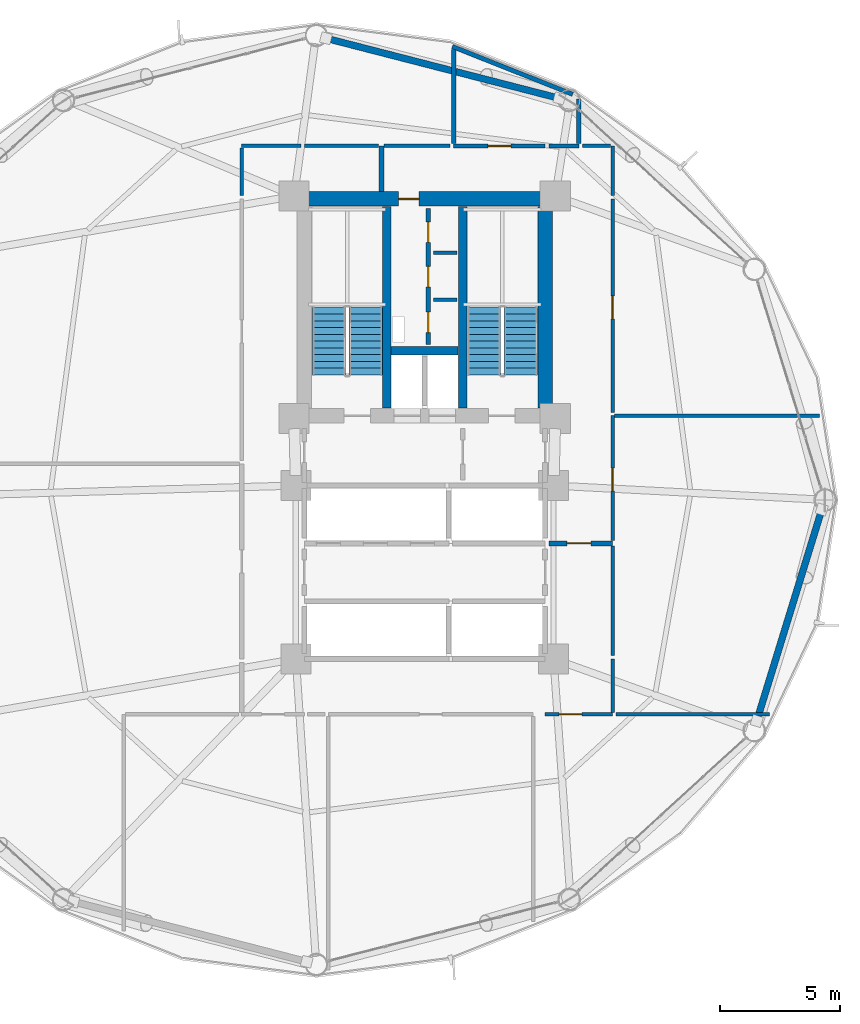
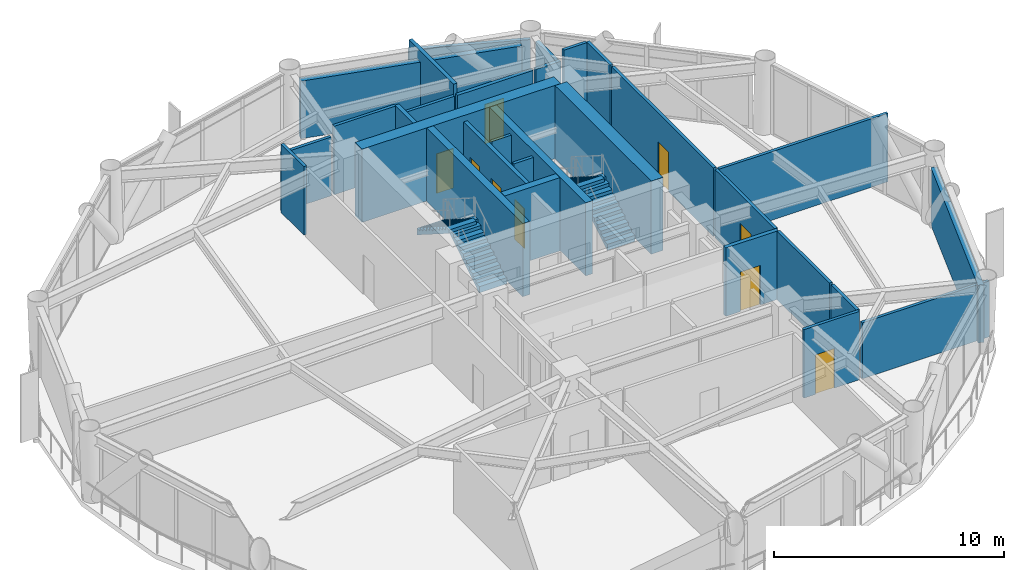
# One storey, part 22 of 26: 30 walls, 9 doors, 4 stair flights, 9 openings, 2 elements without a shape of their own.
"""IFC4 building model written with IfcOpenShell, lengths in metres."""

from ifc_helpers import new_model, si_unit, direction, frame, frame_2d, origin, place, context, subcontext, project, spatial, polyline, rectangle, outline, extrude, material, layer, layer_set, type_object, element, fill, aggregate, save


model = new_model("IFC4")

# Units and contexts
model_context = context("Model", 3, precision=1e-05, world=origin(), true_north=direction((0.0, 1.0)))
body_context = subcontext(model_context, "Body", "Model", "MODEL_VIEW")
ifc_project = project(units=[si_unit("LENGTHUNIT", "METRE"), si_unit("AREAUNIT", "SQUARE_METRE"), si_unit("VOLUMEUNIT", "CUBIC_METRE"), si_unit("PLANEANGLEUNIT", "RADIAN"), si_unit("MASSUNIT", "GRAM", prefix="KILO")], contexts=[model_context])

# Site, building, storey
site_placement = place(None, origin())
site = spatial("IfcSite", under=ifc_project, at=site_placement, CompositionType="ELEMENT")
building_placement = place(site_placement, origin())
building = spatial("IfcBuilding", under=site, at=building_placement, Name="Varnakorn Sky Granary", CompositionType="ELEMENT")
storey_placement = place(building_placement, frame((0.0, 0.0, 51.0)))
storey = spatial("IfcBuildingStorey", under=building, at=storey_placement, Name="L12", CompositionType="ELEMENT", Elevation=51.0)

# Walls
ifc_material_1 = material(Name="Concrete C50/60", Category="concrete")
ifc_layer_1 = layer(ifc_material_1, 0.35009765625, Name="Concrete C50/60")
ifc_layer_set_1 = layer_set([ifc_layer_1], Name="Concrete C50/60")
wall_type_1 = type_object("IfcWallType", Name="WT-CW-INT-350", PredefinedType="SHEAR", material=ifc_layer_set_1)
for number, where, z_axis, x_axis, name in (
    (1, (1.419921875, 3.81005859375, 0.0), (0.0, 0.0, 1.0), (0.0, 1.0, 0.0), "Stair ST-1 Core Wall L12"),
    (2, (4.580078125, 3.81005859375, 0.0), (0.0, 0.0, 1.0), (0.0, 1.0, 0.0), "Stair ST-2 Core Wall L12"),
):
    element("IfcWall", number, at=place(storey_placement, frame(where, z_axis=z_axis, x_axis=x_axis)), inside=storey, type_object=wall_type_1, Name=name, PredefinedType="SHEAR", context=body_context, shape_type="SweptSolid", body=[
        extrude(rectangle(XDim=8.3798828125, YDim=0.35009765625, at=frame_2d((4.18994140625, 0.0))), origin(), (0.0, 0.0, 1.0), 3.89208984375),
    ])
wall_1_placement = place(storey_placement, frame((1.610107421875, 6.199951171875, 0.0), z_axis=(0.0, 0.0, 1.0), x_axis=(1.0, 0.0, 0.0)))
element("IfcWall", 3, at=wall_1_placement, inside=storey, type_object=wall_type_1, Name="Core Lift Shaft Cross Wall L12", PredefinedType="SHEAR", context=body_context, shape_type="SweptSolid", body=[
    extrude(rectangle(XDim=2.77978515625, YDim=0.35009765625, at=frame_2d((1.389892578125, 0.0))), origin(), (0.0, 0.0, 1.0), 3.89208984375),
])

# Wall, opening, door
ifc_material_2 = material(Name="Concrete C60/75", Category="concrete")
ifc_layer_2 = layer(ifc_material_2, 0.60009765625, Name="Concrete C60/75")
ifc_layer_set_2 = layer_set([ifc_layer_2], Name="Concrete C60/75")
wall_type_2 = type_object("IfcWallType", Name="WT-CW-SHEAR-600", PredefinedType="SHEAR", material=ifc_layer_set_2)
wall_2_placement = place(storey_placement, frame((-2.0, 12.5, 0.0), z_axis=(0.0, 0.0, 1.0), x_axis=(1.0, 0.0, 0.0)))
wall_2 = element("IfcWall", 4, at=wall_2_placement, inside=storey, type_object=wall_type_2, Name="Core North Shear Wall L12", PredefinedType="SHEAR", context=body_context, shape_type="SweptSolid", body=[
    extrude(rectangle(XDim=10.0, YDim=0.60009765625, at=frame_2d((5.0, 0.0))), origin(), (0.0, 0.0, 1.0), 3.89208984375),
])
opening_1_placement = place(wall_2_placement, frame((3.919921875, 0.0, 0.0)))
opening_1 = element("IfcOpeningElement", 5, at=opening_1_placement, cuts=wall_2, Name="Opening FD-60N", PredefinedType="OPENING", context=body_context, shape_type="SweptSolid", body=[
    extrude(rectangle(XDim=0.85009765625, YDim=2.10009765625, at=frame_2d((0.425048828125, 1.050048828125))), frame((0.0, 0.31005859375, 0.0), z_axis=(0.0, -1.0, 0.0), x_axis=(1.0, 0.0, 0.0)), (0.0, 0.0, 1.0), 0.6201171875),
])
ifc_material_3 = material(Name="Acoustic Timber Fire Leaf", Category="wood")
door_type_1 = type_object("IfcDoorType", Name="DR-FD60-850", OperationType="NOTDEFINED", PredefinedType="DOOR", material=ifc_material_3)
door_1_placement = place(opening_1_placement, origin())
door_1 = element("IfcDoor", 6, at=door_1_placement, inside=storey, type_object=door_type_1, Name="Core North Service Door L12", OperationType="SINGLE_SWING_RIGHT", OverallHeight=2.10009765625, OverallWidth=0.85009765625, PredefinedType="DOOR", context=body_context, shape_type="SweptSolid", body=[
    extrude(rectangle(XDim=0.85009765625, YDim=2.10009765625, at=frame_2d((0.425048828125, 1.050048828125))), frame((0.0, 0.02490234375, 0.0), z_axis=(0.0, -1.0, 0.0), x_axis=(1.0, 0.0, 0.0)), (0.0, 0.0, 1.0), 0.050048828125),
])
fill(opening_1, door_1)

# Walls
wall_3_placement = place(storey_placement, frame((8.0, 3.81005859375, 0.0), z_axis=(0.0, 0.0, 1.0), x_axis=(0.0, 1.0, 0.0)))
element("IfcWall", 7, at=wall_3_placement, inside=storey, type_object=wall_type_2, Name="Core East Shear Wall L12", PredefinedType="SHEAR", context=body_context, shape_type="SweptSolid", body=[
    extrude(rectangle(XDim=8.3798828125, YDim=0.60009765625, at=frame_2d((4.18994140625, 0.0))), origin(), (0.0, 0.0, 1.0), 3.89208984375),
])
ifc_material_4 = material(Name="Precast concrete C40/50", Category="concrete")
ifc_layer_3 = layer(ifc_material_4, 0.280029296875, Name="Precast concrete C40/50")
ifc_layer_set_3 = layer_set([ifc_layer_3], Name="Precast concrete C40/50")
wall_type_3 = type_object("IfcWallType", Name="WT-EW-CRN-280", PredefinedType="SOLIDWALL", material=ifc_layer_set_3)
wall_4_placement = place(storey_placement, frame((-1.10107421875, 19.17041015625, 0.0), z_axis=(0.0, 0.0, 1.0), x_axis=(0.968436738327, -0.249259470952, 0.0)))
element("IfcWall", 8, at=wall_4_placement, inside=storey, type_object=wall_type_3, Name="Agritech Insulated Precast Facade Wall L12-P03", PredefinedType="SOLIDWALL", context=body_context, shape_type="SweptSolid", body=[
    extrude(rectangle(XDim=10.004150390625, YDim=0.280029296875, at=frame_2d((5.001953125, 0.0))), origin(), (0.0, 0.0, 1.0), 3.06005859375),
])
wall_5_placement = place(storey_placement, frame((19.48681640625, -0.393798828125, 0.0), z_axis=(0.0, 0.0, 1.0), x_axis=(-0.29412506019, -0.95576694281, 0.0)))
element("IfcWall", 9, at=wall_5_placement, inside=storey, type_object=wall_type_3, Name="Agritech Insulated Precast Facade Wall L12-P12", PredefinedType="SOLIDWALL", context=body_context, shape_type="SweptSolid", body=[
    extrude(rectangle(XDim=9.18798828125, YDim=0.280029296875, at=frame_2d((4.593994140625, 0.0))), origin(), (0.0, 0.0, 1.0), 3.06005859375),
])

# Wall, openings, doors
ifc_material_5 = material(Name="Autoclaved Aerated Concrete Blockwork", Category="masonry")
ifc_layer_4 = layer(ifc_material_5, 0.199951171875, Name="Autoclaved Aerated Concrete Blockwork")
ifc_layer_set_4 = layer_set([ifc_layer_4], Name="Autoclaved Aerated Concrete Blockwork")
wall_type_4 = type_object("IfcWallType", Name="WT-FIRE-200", PredefinedType="MOVABLE", material=ifc_layer_set_4)
wall_6_placement = place(storey_placement, frame((3.14990234375, 6.449951171875, 0.0), z_axis=(0.0, 0.0, 1.0), x_axis=(0.0, 1.0, 0.0)))
wall_6 = element("IfcWall", 10, at=wall_6_placement, inside=storey, type_object=wall_type_4, Name="Interior Partition Wall L12-015", PredefinedType="MOVABLE", context=body_context, shape_type="SweptSolid", body=[
    extrude(rectangle(XDim=5.650146484375, YDim=0.199951171875, at=frame_2d((2.8251953125, 0.0))), origin(), (0.0, 0.0, 1.0), 3.639892578125),
])
opening_2_placement = place(wall_6_placement, frame((0.5, 0.0, 0.0)))
opening_2 = element("IfcOpeningElement", 11, at=opening_2_placement, cuts=wall_6, Name="Opening FD-60N", PredefinedType="OPENING", context=body_context, shape_type="SweptSolid", body=[
    extrude(rectangle(XDim=0.85009765625, YDim=2.10009765625, at=frame_2d((0.425048828125, 1.050048828125))), frame((0.0, 0.10986328125, 0.0), z_axis=(0.0, -1.0, 0.0), x_axis=(1.0, 0.0, 0.0)), (0.0, 0.0, 1.0), 0.219970703125),
])
opening_3_placement = place(wall_6_placement, frame((2.39990234375, 0.0, 0.0)))
opening_3 = element("IfcOpeningElement", 12, at=opening_3_placement, cuts=wall_6, Name="Opening FD-60N", PredefinedType="OPENING", context=body_context, shape_type="SweptSolid", body=[
    extrude(rectangle(XDim=0.85009765625, YDim=2.10009765625, at=frame_2d((0.425048828125, 1.050048828125))), frame((0.0, 0.10986328125, 0.0), z_axis=(0.0, -1.0, 0.0), x_axis=(1.0, 0.0, 0.0)), (0.0, 0.0, 1.0), 0.219970703125),
])
opening_4_placement = place(wall_6_placement, frame((4.25, 0.0, 0.0)))
opening_4 = element("IfcOpeningElement", 13, at=opening_4_placement, cuts=wall_6, Name="Opening FD-60N", PredefinedType="OPENING", context=body_context, shape_type="SweptSolid", body=[
    extrude(rectangle(XDim=0.85009765625, YDim=2.10009765625, at=frame_2d((0.425048828125, 1.050048828125))), frame((0.0, 0.10986328125, 0.0), z_axis=(0.0, -1.0, 0.0), x_axis=(1.0, 0.0, 0.0)), (0.0, 0.0, 1.0), 0.219970703125),
])
door_2_placement = place(opening_2_placement, origin())
door_2 = element("IfcDoor", 14, at=door_2_placement, inside=storey, type_object=door_type_1, Name="Interior Door L12-015-1", OperationType="SINGLE_SWING_LEFT", OverallHeight=2.10009765625, OverallWidth=0.85009765625, PredefinedType="DOOR", context=body_context, shape_type="SweptSolid", body=[
    extrude(rectangle(XDim=0.85009765625, YDim=2.10009765625, at=frame_2d((0.425048828125, 1.050048828125))), frame((0.0, 0.02490234375, 0.0), z_axis=(0.0, -1.0, 0.0), x_axis=(1.0, 0.0, 0.0)), (0.0, 0.0, 1.0), 0.050048828125),
])
fill(opening_2, door_2)
door_3_placement = place(opening_3_placement, origin())
door_3 = element("IfcDoor", 15, at=door_3_placement, inside=storey, type_object=door_type_1, Name="Interior Door L12-015-2", OperationType="SINGLE_SWING_RIGHT", OverallHeight=2.10009765625, OverallWidth=0.85009765625, PredefinedType="DOOR", context=body_context, shape_type="SweptSolid", body=[
    extrude(rectangle(XDim=0.85009765625, YDim=2.10009765625, at=frame_2d((0.425048828125, 1.050048828125))), frame((0.0, 0.02490234375, 0.0), z_axis=(0.0, -1.0, 0.0), x_axis=(1.0, 0.0, 0.0)), (0.0, 0.0, 1.0), 0.050048828125),
])
fill(opening_3, door_3)
door_4_placement = place(opening_4_placement, origin())
door_4 = element("IfcDoor", 16, at=door_4_placement, inside=storey, type_object=door_type_1, Name="Interior Door L12-015-3", OperationType="SINGLE_SWING_LEFT", OverallHeight=2.10009765625, OverallWidth=0.85009765625, PredefinedType="DOOR", context=body_context, shape_type="SweptSolid", body=[
    extrude(rectangle(XDim=0.85009765625, YDim=2.10009765625, at=frame_2d((0.425048828125, 1.050048828125))), frame((0.0, 0.02490234375, 0.0), z_axis=(0.0, -1.0, 0.0), x_axis=(1.0, 0.0, 0.0)), (0.0, 0.0, 1.0), 0.050048828125),
])
fill(opening_4, door_4)

# Wall, opening, door
wall_7_placement = place(storey_placement, frame((8.159912109375, -1.800048828125, 0.0), z_axis=(0.0, 0.0, 1.0), x_axis=(1.0, 0.0, 0.0)))
wall_7 = element("IfcWall", 17, at=wall_7_placement, inside=storey, type_object=wall_type_4, Name="Interior Partition Wall L12-021", PredefinedType="MOVABLE", context=body_context, shape_type="SweptSolid", body=[
    extrude(rectangle(XDim=2.64013671875, YDim=0.199951171875, at=frame_2d((1.320068359375, 0.0))), origin(), (0.0, 0.0, 1.0), 3.639892578125),
])
opening_5_placement = place(wall_7_placement, frame((0.739990234375, 0.0, 0.0)))
opening_5 = element("IfcOpeningElement", 18, at=opening_5_placement, cuts=wall_7, Name="Opening FD-60", PredefinedType="OPENING", context=body_context, shape_type="SweptSolid", body=[
    extrude(rectangle(XDim=1.0, YDim=2.10009765625, at=frame_2d((0.5, 1.050048828125))), frame((0.0, 0.10986328125, 0.0), z_axis=(0.0, -1.0, 0.0), x_axis=(1.0, 0.0, 0.0)), (0.0, 0.0, 1.0), 0.219970703125),
])
door_type_2 = type_object("IfcDoorType", Name="DR-FD60-1000", OperationType="NOTDEFINED", PredefinedType="DOOR", material=ifc_material_3)
door_5_placement = place(opening_5_placement, origin())
door_5 = element("IfcDoor", 19, at=door_5_placement, inside=storey, type_object=door_type_2, Name="Interior Door L12-021-1", OperationType="SINGLE_SWING_LEFT", OverallHeight=2.10009765625, OverallWidth=1.0, PredefinedType="DOOR", context=body_context, shape_type="SweptSolid", body=[
    extrude(rectangle(XDim=1.0, YDim=2.10009765625, at=frame_2d((0.5, 1.050048828125))), frame((0.0, 0.02490234375, 0.0), z_axis=(0.0, -1.0, 0.0), x_axis=(1.0, 0.0, 0.0)), (0.0, 0.0, 1.0), 0.050048828125),
])
fill(opening_5, door_5)

# Wall
wall_8_placement = place(storey_placement, frame((1.199951171875, 14.699951171875, 0.0), z_axis=(0.0, 0.0, 1.0), x_axis=(0.0, -1.0, 0.0)))
element("IfcWall", 20, at=wall_8_placement, inside=storey, type_object=wall_type_4, Name="Interior Partition Wall L12-033", PredefinedType="MOVABLE", context=body_context, shape_type="SweptSolid", body=[
    extrude(rectangle(XDim=1.889892578125, YDim=0.199951171875, at=frame_2d((0.94482421875, 0.0))), origin(), (0.0, 0.0, 1.0), 3.639892578125),
])

# Wall, opening, door
ifc_material_6 = material(Name="Gypsum Plasterboard on Steel Stud", Category="steel")
ifc_layer_5 = layer(ifc_material_6, 0.14990234375, Name="Gypsum Plasterboard on Steel Stud")
ifc_layer_set_5 = layer_set([ifc_layer_5], Name="Gypsum Plasterboard on Steel Stud")
wall_type_5 = type_object("IfcWallType", Name="WT-PART-150", PredefinedType="PARTITIONING", material=ifc_layer_set_5)
wall_9_placement = place(storey_placement, frame((8.0, -8.89990234375, 0.0), z_axis=(0.0, 0.0, 1.0), x_axis=(1.0, 0.0, 0.0)))
wall_9 = element("IfcWall", 21, at=wall_9_placement, inside=storey, type_object=wall_type_5, Name="Interior Partition Wall L12-025", PredefinedType="PARTITIONING", context=body_context, shape_type="SweptSolid", body=[
    extrude(rectangle(XDim=2.800048828125, YDim=0.14990234375, at=frame_2d((1.39990234375, 0.0))), origin(), (0.0, 0.0, 1.0), 3.639892578125),
])
opening_6_placement = place(wall_9_placement, frame((0.574951171875, 0.0, 0.0)))
opening_6 = element("IfcOpeningElement", 22, at=opening_6_placement, cuts=wall_9, Name="Opening ID-95", PredefinedType="OPENING", context=body_context, shape_type="SweptSolid", body=[
    extrude(rectangle(XDim=0.949951171875, YDim=2.10009765625, at=frame_2d((0.47509765625, 1.050048828125))), frame((0.0, 0.0849609375, 0.0), z_axis=(0.0, -1.0, 0.0), x_axis=(1.0, 0.0, 0.0)), (0.0, 0.0, 1.0), 0.169921875),
])
ifc_material_7 = material(Name="Solid-Core Teak Veneer Leaf", Category="timber")
door_type_3 = type_object("IfcDoorType", Name="DR-INT-950", OperationType="NOTDEFINED", PredefinedType="DOOR", material=ifc_material_7)
door_6_placement = place(opening_6_placement, origin())
door_6 = element("IfcDoor", 23, at=door_6_placement, inside=storey, type_object=door_type_3, Name="Interior Door L12-025-1", OperationType="SINGLE_SWING_LEFT", OverallHeight=2.10009765625, OverallWidth=0.949951171875, PredefinedType="DOOR", context=body_context, shape_type="SweptSolid", body=[
    extrude(rectangle(XDim=0.949951171875, YDim=2.10009765625, at=frame_2d((0.47509765625, 1.050048828125))), frame((0.0, 0.02490234375, 0.0), z_axis=(0.0, -1.0, 0.0), x_axis=(1.0, 0.0, 0.0)), (0.0, 0.0, 1.0), 0.050048828125),
])
fill(opening_6, door_6)

wall_10_placement = place(storey_placement, frame((10.800048828125, -1.68994140625, 0.0), z_axis=(0.0, 0.0, 1.0), x_axis=(0.0, 1.0, 0.0)))
wall_10 = element("IfcWall", 24, at=wall_10_placement, inside=storey, type_object=wall_type_5, Name="Interior Partition Wall L12-028", PredefinedType="PARTITIONING", context=body_context, shape_type="SweptSolid", body=[
    extrude(rectangle(XDim=5.18994140625, YDim=0.14990234375, at=frame_2d((2.594970703125, 0.0))), origin(), (0.0, 0.0, 1.0), 3.639892578125),
])
opening_7_placement = place(wall_10_placement, frame((2.06494140625, 0.0, 0.0)))
opening_7 = element("IfcOpeningElement", 25, at=opening_7_placement, cuts=wall_10, Name="Opening ID-95", PredefinedType="OPENING", context=body_context, shape_type="SweptSolid", body=[
    extrude(rectangle(XDim=0.949951171875, YDim=2.10009765625, at=frame_2d((0.47509765625, 1.050048828125))), frame((0.0, 0.0849609375, 0.0), z_axis=(0.0, -1.0, 0.0), x_axis=(1.0, 0.0, 0.0)), (0.0, 0.0, 1.0), 0.169921875),
])
door_7_placement = place(opening_7_placement, origin())
door_7 = element("IfcDoor", 26, at=door_7_placement, inside=storey, type_object=door_type_3, Name="Interior Door L12-028-1", OperationType="SINGLE_SWING_RIGHT", OverallHeight=2.10009765625, OverallWidth=0.949951171875, PredefinedType="DOOR", context=body_context, shape_type="SweptSolid", body=[
    extrude(rectangle(XDim=0.949951171875, YDim=2.10009765625, at=frame_2d((0.47509765625, 1.050048828125))), frame((0.0, 0.02490234375, 0.0), z_axis=(0.0, -1.0, 0.0), x_axis=(1.0, 0.0, 0.0)), (0.0, 0.0, 1.0), 0.050048828125),
])
fill(opening_7, door_7)

wall_11_placement = place(storey_placement, frame((10.800048828125, 3.635009765625, 0.0), z_axis=(0.0, 0.0, 1.0), x_axis=(0.0, 1.0, 0.0)))
wall_11 = element("IfcWall", 27, at=wall_11_placement, inside=storey, type_object=wall_type_5, Name="Interior Partition Wall L12-029", PredefinedType="PARTITIONING", context=body_context, shape_type="SweptSolid", body=[
    extrude(rectangle(XDim=8.864990234375, YDim=0.14990234375, at=frame_2d((4.4326171875, 0.0))), origin(), (0.0, 0.0, 1.0), 3.639892578125),
])
opening_8_placement = place(wall_11_placement, frame((3.889892578125, 0.0, 0.0)))
opening_8 = element("IfcOpeningElement", 28, at=opening_8_placement, cuts=wall_11, Name="Opening ID-95", PredefinedType="OPENING", context=body_context, shape_type="SweptSolid", body=[
    extrude(rectangle(XDim=0.949951171875, YDim=2.10009765625, at=frame_2d((0.47509765625, 1.050048828125))), frame((0.0, 0.0849609375, 0.0), z_axis=(0.0, -1.0, 0.0), x_axis=(1.0, 0.0, 0.0)), (0.0, 0.0, 1.0), 0.169921875),
])
door_8_placement = place(opening_8_placement, origin())
door_8 = element("IfcDoor", 29, at=door_8_placement, inside=storey, type_object=door_type_3, Name="Interior Door L12-029-1", OperationType="SINGLE_SWING_LEFT", OverallHeight=2.10009765625, OverallWidth=0.949951171875, PredefinedType="DOOR", context=body_context, shape_type="SweptSolid", body=[
    extrude(rectangle(XDim=0.949951171875, YDim=2.10009765625, at=frame_2d((0.47509765625, 1.050048828125))), frame((0.0, 0.02490234375, 0.0), z_axis=(0.0, -1.0, 0.0), x_axis=(1.0, 0.0, 0.0)), (0.0, 0.0, 1.0), 0.050048828125),
])
fill(opening_8, door_8)

# Walls
for number, where, z_axis, x_axis, name in (
    (30, (3.3701171875, 8.320068359375, 0.0), (0.0, 0.0, 1.0), (1.0, 0.0, 0.0), "Interior Partition Wall L12-030"),
    (31, (3.3701171875, 10.260009765625, 0.0), (0.0, 0.0, 1.0), (1.0, 0.0, 0.0), "Interior Partition Wall L12-031"),
):
    element("IfcWall", number, at=place(storey_placement, frame(where, z_axis=z_axis, x_axis=x_axis)), inside=storey, type_object=wall_type_5, Name=name, PredefinedType="PARTITIONING", context=body_context, shape_type="SweptSolid", body=[
        extrude(rectangle(XDim=0.97998046875, YDim=0.14990234375, at=frame_2d((0.489990234375, 0.0))), origin(), (0.0, 0.0, 1.0), 3.639892578125),
    ])
wall_12_placement = place(storey_placement, frame((10.93505859375, -8.89990234375, 0.0), z_axis=(0.0, 0.0, 1.0), x_axis=(1.0, 0.0, 0.0)))
element("IfcWall", 32, at=wall_12_placement, inside=storey, type_object=wall_type_5, Name="Interior Partition Wall L12-040", PredefinedType="PARTITIONING", context=body_context, shape_type="SweptSolid", body=[
    extrude(rectangle(XDim=6.386962890625, YDim=0.14990234375, at=frame_2d((3.193359375, 0.0))), origin(), (0.0, 0.0, 1.0), 2.971923828125),
])
wall_13_placement = place(storey_placement, frame((1.090087890625, 14.699951171875, 0.0), z_axis=(0.0, 0.0, 1.0), x_axis=(-1.0, 0.0, 0.0)))
element("IfcWall", 33, at=wall_13_placement, inside=storey, type_object=wall_type_5, Name="Interior Partition Wall L12-043", PredefinedType="PARTITIONING", context=body_context, shape_type="SweptSolid", body=[
    extrude(rectangle(XDim=3.090087890625, YDim=0.14990234375, at=frame_2d((1.544921875, 0.0))), origin(), (0.0, 0.0, 1.0), 3.639892578125),
])
wall_14_placement = place(storey_placement, frame((-2.135009765625, 14.699951171875, 0.0), z_axis=(0.0, 0.0, 1.0), x_axis=(-1.0, 0.0, 0.0)))
element("IfcWall", 34, at=wall_14_placement, inside=storey, type_object=wall_type_5, Name="Interior Partition Wall L12-044", PredefinedType="PARTITIONING", context=body_context, shape_type="SweptSolid", body=[
    extrude(rectangle(XDim=2.465087890625, YDim=0.14990234375, at=frame_2d((1.232421875, 0.0))), origin(), (0.0, 0.0, 1.0), 3.1220703125),
])
wall_15_placement = place(storey_placement, frame((-4.60009765625, 14.614990234375, 0.0), z_axis=(0.0, 0.0, 1.0), x_axis=(0.0, -1.0, 0.0)))
element("IfcWall", 35, at=wall_15_placement, inside=storey, type_object=wall_type_5, Name="Interior Partition Wall L12-045", PredefinedType="PARTITIONING", context=body_context, shape_type="SweptSolid", body=[
    extrude(rectangle(XDim=1.97998046875, YDim=0.14990234375, at=frame_2d((0.989990234375, 0.0))), origin(), (0.0, 0.0, 1.0), 3.639892578125),
])
wall_16_placement = place(storey_placement, frame((4.050048828125, 14.699951171875, 0.0), z_axis=(0.0, 0.0, 1.0), x_axis=(-1.0, 0.0, 0.0)))
element("IfcWall", 36, at=wall_16_placement, inside=storey, type_object=wall_type_5, Name="Interior Partition Wall L12-046", PredefinedType="PARTITIONING", context=body_context, shape_type="SweptSolid", body=[
    extrude(rectangle(XDim=2.739990234375, YDim=0.14990234375, at=frame_2d((1.3701171875, 0.0))), origin(), (0.0, 0.0, 1.0), 3.1220703125),
])
wall_17_placement = place(storey_placement, frame((10.800048828125, -8.81494140625, 0.0), z_axis=(0.0, 0.0, 1.0), x_axis=(0.0, 1.0, 0.0)))
element("IfcWall", 37, at=wall_17_placement, inside=storey, type_object=wall_type_5, Name="Interior Partition Wall L12-049", PredefinedType="PARTITIONING", context=body_context, shape_type="SweptSolid", body=[
    extrude(rectangle(XDim=2.21484375, YDim=0.14990234375, at=frame_2d((1.107421875, 0.0))), origin(), (0.0, 0.0, 1.0), 3.639892578125),
])
wall_18_placement = place(storey_placement, frame((10.800048828125, -6.465087890625, 0.0), z_axis=(0.0, 0.0, 1.0), x_axis=(0.0, 1.0, 0.0)))
element("IfcWall", 38, at=wall_18_placement, inside=storey, type_object=wall_type_5, Name="Interior Partition Wall L12-050", PredefinedType="PARTITIONING", context=body_context, shape_type="SweptSolid", body=[
    extrude(rectangle(XDim=4.55517578125, YDim=0.14990234375, at=frame_2d((2.277587890625, 0.0))), origin(), (0.0, 0.0, 1.0), 3.639892578125),
])
wall_19_placement = place(storey_placement, frame((10.885009765625, 3.5, 0.0), z_axis=(0.0, 0.0, 1.0), x_axis=(1.0, 0.0, 0.0)))
element("IfcWall", 39, at=wall_19_placement, inside=storey, type_object=wall_type_5, Name="Interior Partition Wall L12-051", PredefinedType="PARTITIONING", context=body_context, shape_type="SweptSolid", body=[
    extrude(rectangle(XDim=8.498046875, YDim=0.14990234375, at=frame_2d((4.2490234375, 0.0))), origin(), (0.0, 0.0, 1.0), 3.639892578125),
])
wall_20_placement = place(storey_placement, frame((10.800048828125, 12.635009765625, 0.0), z_axis=(0.0, 0.0, 1.0), x_axis=(0.0, 1.0, 0.0)))
element("IfcWall", 40, at=wall_20_placement, inside=storey, type_object=wall_type_5, Name="Interior Partition Wall L12-052", PredefinedType="PARTITIONING", context=body_context, shape_type="SweptSolid", body=[
    extrude(rectangle(XDim=2.06494140625, YDim=0.14990234375, at=frame_2d((1.032470703125, 0.0))), origin(), (0.0, 0.0, 1.0), 3.639892578125),
])
wall_21_placement = place(storey_placement, frame((10.715087890625, 14.699951171875, 0.0), z_axis=(0.0, 0.0, 1.0), x_axis=(-1.0, 0.0, 0.0)))
element("IfcWall", 41, at=wall_21_placement, inside=storey, type_object=wall_type_5, Name="Interior Partition Wall L12-053", PredefinedType="PARTITIONING", context=body_context, shape_type="SweptSolid", body=[
    extrude(rectangle(XDim=1.1650390625, YDim=0.14990234375, at=frame_2d((0.58251953125, 0.0))), origin(), (0.0, 0.0, 1.0), 3.639892578125),
])

# Wall, opening, door
ifc_material_8 = material(Name="Moisture-Resistant Gypsum on Stud", Category="gypsum")
ifc_layer_6 = layer(ifc_material_8, 0.179931640625, Name="Moisture-Resistant Gypsum on Stud")
ifc_layer_set_6 = layer_set([ifc_layer_6], Name="Moisture-Resistant Gypsum on Stud")
wall_type_6 = type_object("IfcWallType", Name="WT-PLUMB-180", PredefinedType="PLUMBINGWALL", material=ifc_layer_set_6)
wall_22_placement = place(storey_placement, frame((8.0, 14.699951171875, 0.0), z_axis=(0.0, 0.0, 1.0), x_axis=(-1.0, 0.0, 0.0)))
wall_22 = element("IfcWall", 42, at=wall_22_placement, inside=storey, type_object=wall_type_6, Name="Interior Partition Wall L12-022", PredefinedType="PLUMBINGWALL", context=body_context, shape_type="SweptSolid", body=[
    extrude(rectangle(XDim=3.800048828125, YDim=0.179931640625, at=frame_2d((1.89990234375, 0.0))), origin(), (0.0, 0.0, 1.0), 3.1220703125),
])
opening_9_placement = place(wall_22_placement, frame((1.425048828125, 0.0, 0.0)))
opening_9 = element("IfcOpeningElement", 43, at=opening_9_placement, cuts=wall_22, Name="Opening ID-95", PredefinedType="OPENING", context=body_context, shape_type="SweptSolid", body=[
    extrude(rectangle(XDim=0.949951171875, YDim=2.10009765625, at=frame_2d((0.47509765625, 1.050048828125))), frame((0.0, 0.10009765625, 0.0), z_axis=(0.0, -1.0, 0.0), x_axis=(1.0, 0.0, 0.0)), (0.0, 0.0, 1.0), 0.199951171875),
])
door_9_placement = place(opening_9_placement, origin())
door_9 = element("IfcDoor", 44, at=door_9_placement, inside=storey, type_object=door_type_3, Name="Interior Door L12-022-1", OperationType="SINGLE_SWING_RIGHT", OverallHeight=2.10009765625, OverallWidth=0.949951171875, PredefinedType="DOOR", context=body_context, shape_type="SweptSolid", body=[
    extrude(rectangle(XDim=0.949951171875, YDim=2.10009765625, at=frame_2d((0.47509765625, 1.050048828125))), frame((0.0, 0.02490234375, 0.0), z_axis=(0.0, -1.0, 0.0), x_axis=(1.0, 0.0, 0.0)), (0.0, 0.0, 1.0), 0.050048828125),
])
fill(opening_9, door_9)

# Walls
wall_23_placement = place(storey_placement, frame((9.39990234375, 14.699951171875, 0.0), z_axis=(0.0, 0.0, 1.0), x_axis=(-1.0, 0.0, 0.0)))
element("IfcWall", 45, at=wall_23_placement, inside=storey, type_object=wall_type_6, Name="Interior Partition Wall L12-034", PredefinedType="PLUMBINGWALL", context=body_context, shape_type="SweptSolid", body=[
    extrude(rectangle(XDim=1.25, YDim=0.179931640625, at=frame_2d((0.625, 0.0))), origin(), (0.0, 0.0, 1.0), 3.1220703125),
])
wall_24_placement = place(storey_placement, frame((4.14404296875, 18.827880859375, 0.0), z_axis=(0.0, 0.0, 1.0), x_axis=(0.929394329091, -0.369088310644, 0.0)))
element("IfcWall", 46, at=wall_24_placement, inside=storey, type_object=wall_type_6, Name="Interior Partition Wall L12-047", PredefinedType="PLUMBINGWALL", context=body_context, shape_type="SweptSolid", body=[
    extrude(rectangle(XDim=5.377685546875, YDim=0.179931640625, at=frame_2d((2.68896484375, 0.0))), origin(), (0.0, 0.0, 1.0), 3.072021484375),
])
wall_25_placement = place(storey_placement, frame((4.199951171875, 18.705078125, 0.0), z_axis=(0.0, 0.0, 1.0), x_axis=(0.0, -1.0, 0.0)))
element("IfcWall", 47, at=wall_25_placement, inside=storey, type_object=wall_type_6, Name="Interior Partition Wall L12-048", PredefinedType="PLUMBINGWALL", context=body_context, shape_type="SweptSolid", body=[
    extrude(rectangle(XDim=3.905029296875, YDim=0.179931640625, at=frame_2d((1.95263671875, 0.0))), origin(), (0.0, 0.0, 1.0), 3.639892578125),
])
wall_26_placement = place(storey_placement, frame((9.39990234375, 14.800048828125, 0.0), z_axis=(0.0, 0.0, 1.0), x_axis=(0.0, 1.0, 0.0)))
element("IfcWall", 48, at=wall_26_placement, inside=storey, type_object=wall_type_6, Name="Interior Partition Wall L12-054", PredefinedType="PLUMBINGWALL", context=body_context, shape_type="SweptSolid", body=[
    extrude(rectangle(XDim=1.85791015625, YDim=0.179931640625, at=frame_2d((0.928955078125, 0.0))), origin(), (0.0, 0.0, 1.0), 2.971923828125),
])

# Stair, stair flights
ifc_material_9 = material(Name="Concrete C40/50", Category="concrete")
stair_type = type_object("IfcStairType", Name="ST-MAIN-ASSEMBLY", PredefinedType="HALF_TURN_STAIR", material=ifc_material_9)
stair_1_placement = place(storey_placement, origin())
stair_1 = element("IfcStair", 49, at=stair_1_placement, inside=storey, type_object=stair_type, Name="L12 Protected Exit Stair ST-1", PredefinedType="HALF_TURN_STAIR")
stair_flight_type = type_object("IfcStairFlightType", Name="ST-MAIN-FLIGHT", PredefinedType="STRAIGHT", material=ifc_material_9)
stair_flight_1_placement = place(storey_placement, frame((0.550048828125, 5.199951171875, 0.0), z_axis=(0.0, 0.0, 1.0), x_axis=(0.0, 1.0, 0.0)))
stair_flight_1 = element("IfcStairFlight", 50, at=stair_flight_1_placement, type_object=stair_flight_type, Name="ST-1 flight 1", NumberOfRisers=11, NumberOfTreads=10, PredefinedType="STRAIGHT", RiserHeight=0.177272727, TreadLength=0.28, context=body_context, shape_type="SweptSolid", body=[
    extrude(outline(polyline([(0.0, -0.14990234375), (0.0, 0.0), (0.0, 0.17724609375), (0.280029296875, 0.17724609375), (0.280029296875, 0.3544921875), (0.56005859375, 0.3544921875), (0.56005859375, 0.53173828125), (0.840087890625, 0.53173828125), (0.840087890625, 0.708984375), (1.1201171875, 0.708984375), (1.1201171875, 0.886474609375), (1.39990234375, 0.886474609375), (1.39990234375, 1.063720703125), (1.679931640625, 1.063720703125), (1.679931640625, 1.240966796875), (1.9599609375, 1.240966796875), (1.9599609375, 1.418212890625), (2.239990234375, 1.418212890625), (2.239990234375, 1.595458984375), (2.52001953125, 1.595458984375), (2.52001953125, 1.772705078125), (2.800048828125, 1.772705078125), (2.800048828125, 1.949951171875), (2.800048828125, 1.59521484375), (0.050048828125, -0.14990234375), (0.0, -0.14990234375)])), frame((0.0, 0.68994140625, 0.0), z_axis=(0.0, -1.0, 0.0), x_axis=(1.0, 0.0, 0.0)), (0.0, 0.0, 1.0), 1.3798828125),
])
stair_flight_2_placement = place(storey_placement, frame((-0.97998046875, 8.0, 1.949951171875), z_axis=(0.0, 0.0, 1.0), x_axis=(0.0, -1.0, 0.0)))
stair_flight_2 = element("IfcStairFlight", 51, at=stair_flight_2_placement, type_object=stair_flight_type, Name="ST-1 flight 2", NumberOfRisers=11, NumberOfTreads=10, PredefinedType="STRAIGHT", RiserHeight=0.177272727, TreadLength=0.28, context=body_context, shape_type="SweptSolid", body=[
    extrude(outline(polyline([(0.0, -0.14990234375), (0.0, 0.0), (0.0, 0.17724609375), (0.280029296875, 0.17724609375), (0.280029296875, 0.3544921875), (0.56005859375, 0.3544921875), (0.56005859375, 0.53173828125), (0.840087890625, 0.53173828125), (0.840087890625, 0.708984375), (1.1201171875, 0.708984375), (1.1201171875, 0.886474609375), (1.39990234375, 0.886474609375), (1.39990234375, 1.063720703125), (1.679931640625, 1.063720703125), (1.679931640625, 1.240966796875), (1.9599609375, 1.240966796875), (1.9599609375, 1.418212890625), (2.239990234375, 1.418212890625), (2.239990234375, 1.595458984375), (2.52001953125, 1.595458984375), (2.52001953125, 1.772705078125), (2.800048828125, 1.772705078125), (2.800048828125, 1.949951171875), (2.800048828125, 1.59521484375), (0.050048828125, -0.14990234375), (0.0, -0.14990234375)])), frame((0.0, 0.68994140625, 0.0), z_axis=(0.0, -1.0, 0.0), x_axis=(1.0, 0.0, 0.0)), (0.0, 0.0, 1.0), 1.3798828125),
])
aggregate(stair_1, [stair_flight_1, stair_flight_2])

stair_2_placement = place(storey_placement, origin())
stair_2 = element("IfcStair", 52, at=stair_2_placement, inside=storey, type_object=stair_type, Name="L12 Protected Exit Stair ST-2", PredefinedType="HALF_TURN_STAIR")
stair_flight_3_placement = place(storey_placement, frame((6.989990234375, 5.199951171875, 0.0), z_axis=(0.0, 0.0, 1.0), x_axis=(0.0, 1.0, 0.0)))
stair_flight_3 = element("IfcStairFlight", 53, at=stair_flight_3_placement, type_object=stair_flight_type, Name="ST-2 flight 1", NumberOfRisers=11, NumberOfTreads=10, PredefinedType="STRAIGHT", RiserHeight=0.177272727, TreadLength=0.28, context=body_context, shape_type="SweptSolid", body=[
    extrude(outline(polyline([(0.0, -0.14990234375), (0.0, 0.0), (0.0, 0.17724609375), (0.280029296875, 0.17724609375), (0.280029296875, 0.3544921875), (0.56005859375, 0.3544921875), (0.56005859375, 0.53173828125), (0.840087890625, 0.53173828125), (0.840087890625, 0.708984375), (1.1201171875, 0.708984375), (1.1201171875, 0.886474609375), (1.39990234375, 0.886474609375), (1.39990234375, 1.063720703125), (1.679931640625, 1.063720703125), (1.679931640625, 1.240966796875), (1.9599609375, 1.240966796875), (1.9599609375, 1.418212890625), (2.239990234375, 1.418212890625), (2.239990234375, 1.595458984375), (2.52001953125, 1.595458984375), (2.52001953125, 1.772705078125), (2.800048828125, 1.772705078125), (2.800048828125, 1.949951171875), (2.800048828125, 1.59521484375), (0.050048828125, -0.14990234375), (0.0, -0.14990234375)])), frame((0.0, 0.68994140625, 0.0), z_axis=(0.0, -1.0, 0.0), x_axis=(1.0, 0.0, 0.0)), (0.0, 0.0, 1.0), 1.3798828125),
])
stair_flight_4_placement = place(storey_placement, frame((5.4599609375, 8.0, 1.949951171875), z_axis=(0.0, 0.0, 1.0), x_axis=(0.0, -1.0, 0.0)))
stair_flight_4 = element("IfcStairFlight", 54, at=stair_flight_4_placement, type_object=stair_flight_type, Name="ST-2 flight 2", NumberOfRisers=11, NumberOfTreads=10, PredefinedType="STRAIGHT", RiserHeight=0.177272727, TreadLength=0.28, context=body_context, shape_type="SweptSolid", body=[
    extrude(outline(polyline([(0.0, -0.14990234375), (0.0, 0.0), (0.0, 0.17724609375), (0.280029296875, 0.17724609375), (0.280029296875, 0.3544921875), (0.56005859375, 0.3544921875), (0.56005859375, 0.53173828125), (0.840087890625, 0.53173828125), (0.840087890625, 0.708984375), (1.1201171875, 0.708984375), (1.1201171875, 0.886474609375), (1.39990234375, 0.886474609375), (1.39990234375, 1.063720703125), (1.679931640625, 1.063720703125), (1.679931640625, 1.240966796875), (1.9599609375, 1.240966796875), (1.9599609375, 1.418212890625), (2.239990234375, 1.418212890625), (2.239990234375, 1.595458984375), (2.52001953125, 1.595458984375), (2.52001953125, 1.772705078125), (2.800048828125, 1.772705078125), (2.800048828125, 1.949951171875), (2.800048828125, 1.59521484375), (0.050048828125, -0.14990234375), (0.0, -0.14990234375)])), frame((0.0, 0.68994140625, 0.0), z_axis=(0.0, -1.0, 0.0), x_axis=(1.0, 0.0, 0.0)), (0.0, 0.0, 1.0), 1.3798828125),
])
aggregate(stair_2, [stair_flight_3, stair_flight_4])

save(model, "model.ifc")
